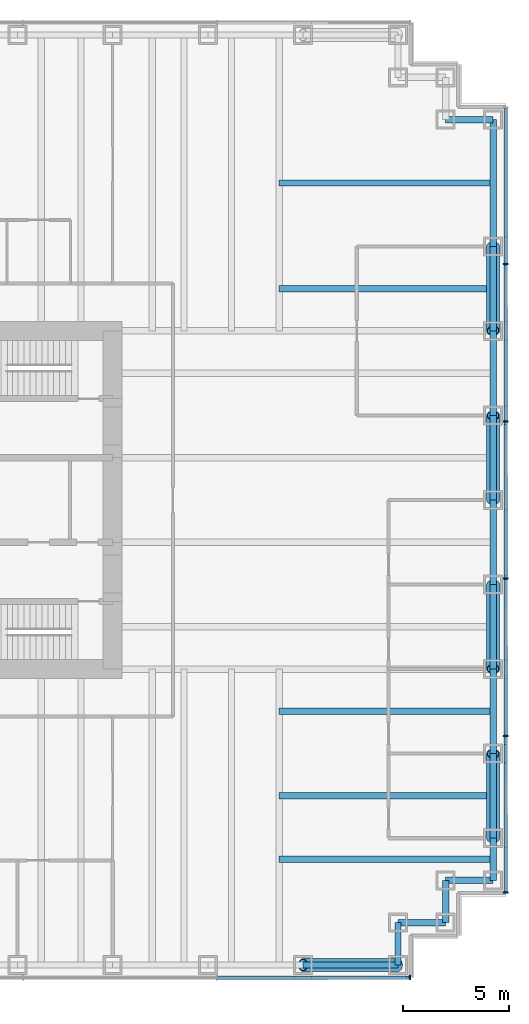
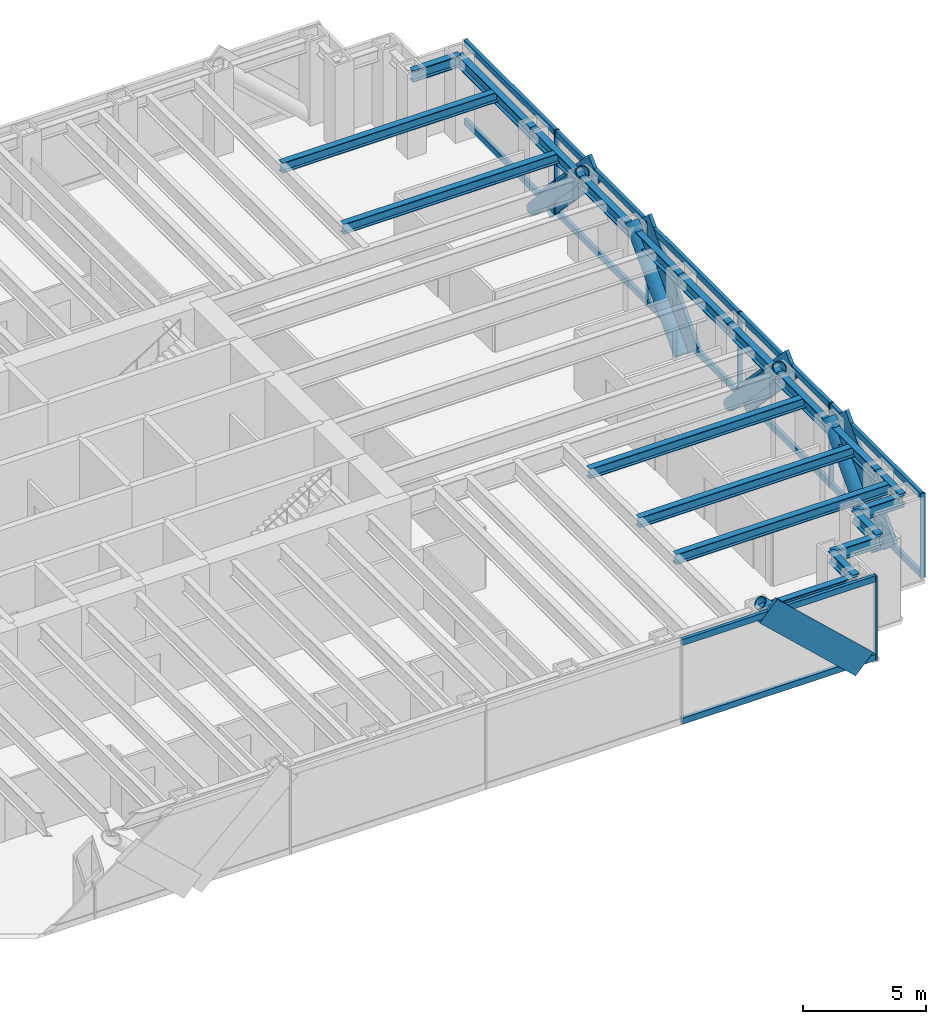
# One storey, part 8 of 15: 28 members, 20 beams, 2 elements without a shape of their own.
"""IFC4 building model written with IfcOpenShell, lengths in metres."""

import ifcopenshell
import ifcopenshell.guid

model = None  # the IFC model being written
_history = None  # IfcOwnerHistory: only IFC2X3 demands one
_inside = {}  # id of a spatial element -> (the spatial element, [elements in it])
_under = {}  # id of a project, library or spatial element -> (it, [spatial elements below it])
_declared = {}  # id of a project -> (the project, [libraries it declares])
_typed = {}  # id of a type object -> (the type object, [elements of that type])
_made_of = {}  # id of a material, layer set ... -> (it, [elements and type objects made of it])


def new_model(schema):
    """Start an empty IFC model of exactly this schema.

    Asked for "IFC4X3", IfcOpenShell would pick the latest addendum, in which some entities
    have other attributes; the version numbers below select the first issue.
    IFC2X3 requires an IfcOwnerHistory on every rooted entity: one is made here for all.
    """
    global model, _history
    if schema == "IFC4X3":
        model = ifcopenshell.file(schema_version=(4, 3, 0, 0))
    else:
        model = ifcopenshell.file(schema=schema)
    _inside.clear()
    _under.clear()
    _declared.clear()
    _typed.clear()
    _made_of.clear()
    _history = None
    if model.schema == "IFC2X3":
        org = make("IfcOrganization", Name="unknown")
        user = make(
            "IfcPersonAndOrganization",
            ThePerson=make("IfcPerson", FamilyName="unknown"),
            TheOrganization=org,
        )
        app = make(
            "IfcApplication",
            ApplicationDeveloper=org,
            Version="unknown",
            ApplicationFullName="unknown",
            ApplicationIdentifier="unknown",
        )
        _history = make(
            "IfcOwnerHistory",
            OwningUser=user,
            OwningApplication=app,
            ChangeAction="ADDED",
            CreationDate=0,
        )
    return model


def make(cls, **values):
    """One entity of the class cls with the attributes given. An attribute that is None is left unset."""
    return model.create_entity(
        cls, **{name: value for name, value in values.items() if value is not None}
    )


def rooted(cls, **values):
    """An entity with a GlobalId (a new one), such as an element, a storey or a relation."""
    return make(cls, GlobalId=ifcopenshell.guid.new(), OwnerHistory=_history, **values)


def si_unit(unit_type, name, prefix=None):
    """IfcSIUnit, for example si_unit("LENGTHUNIT", "METRE", prefix="MILLI")."""
    return make("IfcSIUnit", UnitType=unit_type, Prefix=prefix, Name=name)


def assignment(units):
    """IfcUnitAssignment: the units of a project."""
    return None if units is None else make("IfcUnitAssignment", Units=units)


def point(xyz):
    """IfcCartesianPoint."""
    return None if xyz is None else make("IfcCartesianPoint", Coordinates=xyz)


def direction(xyz):
    """IfcDirection."""
    return None if xyz is None else make("IfcDirection", DirectionRatios=xyz)


def frame(location, z_axis=None, x_axis=None):
    """IfcAxis2Placement3D, a coordinate frame: its origin and axes. An axis left out is left unset."""
    return make(
        "IfcAxis2Placement3D",
        Location=point(location),
        Axis=direction(z_axis),
        RefDirection=direction(x_axis),
    )


def frame_2d(location, x_axis=None):
    """IfcAxis2Placement2D, a coordinate frame in the plane: its origin and x axis."""
    return make(
        "IfcAxis2Placement2D", Location=point(location), RefDirection=direction(x_axis)
    )


def origin():
    """The frame at (0, 0, 0) with its axes left unset."""
    return frame((0.0, 0.0, 0.0))


def origin_2d():
    """The frame at (0, 0) in the plane with its x axis left unset."""
    return frame_2d((0.0, 0.0))


def place(relative_to, where):
    """IfcLocalPlacement: puts the frame where relative to a parent placement (None: the world)."""
    return make(
        "IfcLocalPlacement", PlacementRelTo=relative_to, RelativePlacement=where
    )


def context(
    kind, dimensions, precision=None, world=None, true_north=None, identifier=None
):
    """IfcGeometricRepresentationContext, for example the 3D "Model" context."""
    return make(
        "IfcGeometricRepresentationContext",
        ContextIdentifier=identifier,
        ContextType=kind,
        CoordinateSpaceDimension=dimensions,
        Precision=precision,
        WorldCoordinateSystem=world,
        TrueNorth=true_north,
    )


def subcontext(parent, identifier, kind, view, scale=None):
    """IfcGeometricRepresentationSubContext, for example "Body" below "Model"."""
    return make(
        "IfcGeometricRepresentationSubContext",
        ContextIdentifier=identifier,
        ContextType=kind,
        ParentContext=parent,
        TargetScale=scale,
        TargetView=view,
    )


def project(units=None, contexts=None):
    """IfcProject with its units and contexts."""
    return rooted(
        "IfcProject",
        Name="project",
        RepresentationContexts=contexts,
        UnitsInContext=assignment(units),
    )


def spatial(cls, under=None, at=None, **own):
    """A site, building, storey or space (cls), placed at a placement, below another one or the project."""
    s = rooted(cls, ObjectPlacement=at, **own)
    if under is not None:
        _under.setdefault(under.id(), (under, []))[1].append(s)
    return s


def profile(cls, at=None, kind="AREA", **sizes):
    """A parametric profile (cls). Its sizes go by their IFC names, for example OverallWidth=200.0."""
    return make(cls, ProfileType=kind, Position=at, **sizes)


def rectangle(**sizes):
    """IfcRectangleProfileDef."""
    return profile("IfcRectangleProfileDef", **sizes)


def hollow_circle(**sizes):
    """IfcCircleHollowProfileDef."""
    return profile("IfcCircleHollowProfileDef", **sizes)


def i_section(**sizes):
    """IfcIShapeProfileDef."""
    return profile("IfcIShapeProfileDef", **sizes)


def extrude(swept, where, along, depth):
    """IfcExtrudedAreaSolid: the profile swept, set in the frame where, extruded along a direction by depth."""
    return make(
        "IfcExtrudedAreaSolid",
        SweptArea=swept,
        Position=where,
        ExtrudedDirection=direction(along),
        Depth=depth,
    )


def shape(context_of_items, identifier, shape_type, items):
    """IfcShapeRepresentation: the items that make up one representation, for example the "Body"."""
    return make(
        "IfcShapeRepresentation",
        ContextOfItems=context_of_items,
        RepresentationIdentifier=identifier,
        RepresentationType=shape_type,
        Items=items,
    )


def material(Name=None, Category=None):
    """IfcMaterial."""
    return make("IfcMaterial", Name=Name, Category=Category)


def material_profile(
    of_material, cross_section, Name=None, Category=None, Priority=None
):
    """IfcMaterialProfile: a cross section and its material."""
    return make(
        "IfcMaterialProfile",
        Name=Name,
        Material=of_material,
        Profile=cross_section,
        Priority=Priority,
        Category=Category,
    )


def profile_set(profiles, Name=None, composite=None):
    """IfcMaterialProfileSet."""
    return make(
        "IfcMaterialProfileSet",
        Name=Name,
        MaterialProfiles=profiles,
        CompositeProfile=composite,
    )


def made_of(thing, what):
    """Note that an element or type object is made of a material, layer set ...; save() writes the relation."""
    if what is not None:
        _made_of.setdefault(what.id(), (what, []))[1].append(thing)
    return thing


def type_object(cls, material=None, **own):
    """A type object (cls), such as IfcWallType, which elements share."""
    return made_of(rooted(cls, **own), material)


def element(
    cls,
    number,
    at=None,
    inside=None,
    cuts=None,
    type_object=None,
    material=None,
    context=None,
    identifier="Body",
    shape_type=None,
    held_by="IfcProductDefinitionShape",
    body=None,
    shapes=None,
    **own,
):
    """One element of the class cls, such as IfcWall. Its Tag is "e" and its number.

    at: its placement. inside: the storey or other place that contains it. cuts: it is an
    opening in that element (IfcRelVoidsElement). A single representation is given by context,
    identifier, shape_type and body (its items); several are given by shapes. held_by: the class
    of the entity that holds the representations. save() writes the other relations.
    """
    e = rooted(cls, Tag="e%d" % number, ObjectPlacement=at, **own)
    if body is not None:
        shapes = [shape(context, identifier, shape_type, body)]
    if shapes is not None:
        e.Representation = make(held_by, Representations=shapes)
    if inside is not None:
        _inside.setdefault(inside.id(), (inside, []))[1].append(e)
    if cuts is not None:
        rooted(
            "IfcRelVoidsElement", RelatingBuildingElement=cuts, RelatedOpeningElement=e
        )
    if type_object is not None:
        _typed.setdefault(type_object.id(), (type_object, []))[1].append(e)
    return made_of(e, material)


def aggregate(whole, parts):
    """IfcRelAggregates: a whole, such as a stair, and the parts it consists of."""
    return rooted("IfcRelAggregates", RelatingObject=whole, RelatedObjects=parts)


def save(model, path):
    """Write the relations noted so far, then the file.

    IfcRelAggregates (storeys below a building ...), IfcRelContainedInSpatialStructure (elements
    in a storey), IfcRelDefinesByType, IfcRelAssociatesMaterial and IfcRelDeclares: one each for
    every whole, place, type object, material and project.
    """
    for whole, parts in _under.values():
        aggregate(whole, parts)
    for where, things in _inside.values():
        rooted(
            "IfcRelContainedInSpatialStructure",
            RelatedElements=things,
            RelatingStructure=where,
        )
    for kind, things in _typed.values():
        rooted("IfcRelDefinesByType", RelatedObjects=things, RelatingType=kind)
    for what, things in _made_of.values():
        rooted("IfcRelAssociatesMaterial", RelatedObjects=things, RelatingMaterial=what)
    for by, libraries in _declared.values():
        rooted("IfcRelDeclares", RelatingContext=by, RelatedDefinitions=libraries)
    model.write(path)


model = new_model("IFC4")

# Units and contexts
model_context = context("Model", 3, precision=1e-05, world=origin(), true_north=direction((0.0, 1.0)))
body_context = subcontext(model_context, "Body", "Model", "MODEL_VIEW")
ifc_project = project(units=[si_unit("LENGTHUNIT", "METRE"), si_unit("AREAUNIT", "SQUARE_METRE"), si_unit("VOLUMEUNIT", "CUBIC_METRE"), si_unit("PLANEANGLEUNIT", "RADIAN"), si_unit("MASSUNIT", "GRAM", prefix="KILO")], contexts=[model_context])

# Site, building, storey
site_placement = place(None, origin())
site = spatial("IfcSite", under=ifc_project, at=site_placement, CompositionType="ELEMENT")
building_placement = place(site_placement, origin())
building = spatial("IfcBuilding", under=site, at=building_placement, Name="Rheinbord Bourse Tower", CompositionType="ELEMENT")
storey_placement = place(building_placement, frame((0.0, 0.0, 125.699951171875)))
storey = spatial("IfcBuildingStorey", under=building, at=storey_placement, Name="L27", CompositionType="ELEMENT", Elevation=125.699951171875)

# Curtain wall, member
ifc_material_1 = material(Name="Dark glass and black aluminium", Category="aluminium")
curtain_wall_type = type_object("IfcCurtainWallType", Name="CW2 DARK GLASS CURTAIN WALL", PredefinedType="USERDEFINED", material=ifc_material_1)
curtain_wall_1_placement = place(storey_placement, origin())
curtain_wall_1 = element("IfcCurtainWall", 1, at=curtain_wall_1_placement, inside=storey, type_object=curtain_wall_type, Name="Curtain wall CW2 S L27", ObjectType="UNITISED CURTAIN WALL", PredefinedType="USERDEFINED")
ifc_material_2 = material(Name="Black anodised aluminium", Category="aluminium")
ifc_material_profile_1 = material_profile(ifc_material_2, rectangle(XDim=0.159912109375, YDim=1.2099609375, at=origin_2d()), Name="CW2 DIAGONAL MULLION 1210x160")
ifc_profile_set_1 = profile_set([ifc_material_profile_1], Name="Black anodised aluminium")
member_type_1 = type_object("IfcMemberType", Name="CW2 BLACK DIAGONAL MULLION", PredefinedType="USERDEFINED", material=ifc_profile_set_1)
member_1_placement = place(storey_placement, frame((67.5, 1.39990234375, 0.0), z_axis=(-0.73105922506, 0.0, 0.682314010889), x_axis=(0.0, -1.0, 0.0)))
member_1 = element("IfcMember", 2, at=member_1_placement, type_object=member_type_1, Name="CW2 diagonal mullion b", ObjectType="DIAGONAL MULLION", PredefinedType="USERDEFINED", context=body_context, shape_type="SweptSolid", body=[
    extrude(rectangle(XDim=0.159912109375, YDim=1.2099609375, at=origin_2d()), origin(), (0.0, 0.0, 1.0), 6.155517578125),
])

# Curtain wall, members
curtain_wall_2_placement = place(storey_placement, origin())
curtain_wall_2 = element("IfcCurtainWall", 3, at=curtain_wall_2_placement, inside=storey, type_object=curtain_wall_type, Name="Curtain wall CW2 E L27", ObjectType="UNITISED CURTAIN WALL", PredefinedType="USERDEFINED")
member_2_placement = place(storey_placement, frame((72.60009765625, 36.0, 0.0), z_axis=(0.0, -0.689659376744, 0.724133926887), x_axis=(1.0, 0.0, 0.0)))
member_2 = element("IfcMember", 4, at=member_2_placement, type_object=member_type_1, Name="CW2 diagonal mullion a", ObjectType="DIAGONAL MULLION", PredefinedType="USERDEFINED", context=body_context, shape_type="SweptSolid", body=[
    extrude(rectangle(XDim=0.159912109375, YDim=1.2099609375, at=origin_2d()), origin(), (0.0, 0.0, 1.0), 5.800048828125),
])
member_3_placement = place(storey_placement, frame((72.60009765625, 8.0, 0.0), z_axis=(0.0, 0.689659376744, 0.724133926887), x_axis=(-1.0, 0.0, 0.0)))
member_3 = element("IfcMember", 5, at=member_3_placement, type_object=member_type_1, Name="CW2 diagonal mullion b", ObjectType="DIAGONAL MULLION", PredefinedType="USERDEFINED", context=body_context, shape_type="SweptSolid", body=[
    extrude(rectangle(XDim=0.159912109375, YDim=1.2099609375, at=origin_2d()), origin(), (0.0, 0.0, 1.0), 5.800048828125),
])
member_4_placement = place(storey_placement, frame((72.60009765625, 20.0, 0.0), z_axis=(0.0, -0.689659376744, 0.724133926887), x_axis=(1.0, 0.0, 0.0)))
member_4 = element("IfcMember", 6, at=member_4_placement, type_object=member_type_1, Name="CW2 diagonal mullion c", ObjectType="DIAGONAL MULLION", PredefinedType="USERDEFINED", context=body_context, shape_type="SweptSolid", body=[
    extrude(rectangle(XDim=0.159912109375, YDim=1.2099609375, at=origin_2d()), origin(), (0.0, 0.0, 1.0), 5.800048828125),
])
member_5_placement = place(storey_placement, frame((72.60009765625, 24.0, 0.0), z_axis=(0.0, 0.689659376744, 0.724133926887), x_axis=(-1.0, 0.0, 0.0)))
member_5 = element("IfcMember", 7, at=member_5_placement, type_object=member_type_1, Name="CW2 diagonal mullion d", ObjectType="DIAGONAL MULLION", PredefinedType="USERDEFINED", context=body_context, shape_type="SweptSolid", body=[
    extrude(rectangle(XDim=0.159912109375, YDim=1.2099609375, at=origin_2d()), origin(), (0.0, 0.0, 1.0), 5.800048828125),
])

# Member
ifc_material_3 = material(Name="Black anodised aluminium", Category="aluminium")
ifc_material_profile_2 = material_profile(ifc_material_3, rectangle(XDim=0.219970703125, YDim=0.070068359375, at=origin_2d()), Name="CW2 MULLION 70x220")
ifc_profile_set_2 = profile_set([ifc_material_profile_2], Name="Black anodised aluminium")
member_type_2 = type_object("IfcMemberType", Name="CW2 BLACK MULLION", PredefinedType="MULLION", material=ifc_profile_set_2)
member_6_placement = place(storey_placement, frame((68.06494140625, 1.39990234375, 0.0), z_axis=(0.0, 0.0, 1.0), x_axis=(0.0, 1.0, 0.0)))
member_6 = element("IfcMember", 8, at=member_6_placement, type_object=member_type_2, Name="CW2 mullion 8", PredefinedType="MULLION", context=body_context, shape_type="SweptSolid", body=[
    extrude(rectangle(XDim=0.219970703125, YDim=0.070068359375, at=origin_2d()), origin(), (0.0, 0.0, 1.0), 4.199951171875),
])

member_7_placement = place(storey_placement, frame((72.60009765625, 5.43505859375, 0.0), z_axis=(0.0, 0.0, 1.0), x_axis=(-1.0, 0.0, 0.0)))
member_7 = element("IfcMember", 9, at=member_7_placement, type_object=member_type_2, Name="CW2 mullion 1", PredefinedType="MULLION", context=body_context, shape_type="SweptSolid", body=[
    extrude(rectangle(XDim=0.219970703125, YDim=0.070068359375, at=origin_2d()), origin(), (0.0, 0.0, 1.0), 4.199951171875),
])

member_8_placement = place(storey_placement, frame((72.60009765625, 12.840087890625, 0.0), z_axis=(0.0, 0.0, 1.0), x_axis=(-1.0, 0.0, 0.0)))
member_8 = element("IfcMember", 10, at=member_8_placement, type_object=member_type_2, Name="CW2 mullion 2", PredefinedType="MULLION", context=body_context, shape_type="SweptSolid", body=[
    extrude(rectangle(XDim=0.219970703125, YDim=0.070068359375, at=origin_2d()), origin(), (0.0, 0.0, 1.0), 4.199951171875),
])

member_9_placement = place(storey_placement, frame((72.60009765625, 20.280029296875, 0.0), z_axis=(0.0, 0.0, 1.0), x_axis=(-1.0, 0.0, 0.0)))
member_9 = element("IfcMember", 11, at=member_9_placement, type_object=member_type_2, Name="CW2 mullion 3", PredefinedType="MULLION", context=body_context, shape_type="SweptSolid", body=[
    extrude(rectangle(XDim=0.219970703125, YDim=0.070068359375, at=origin_2d()), origin(), (0.0, 0.0, 1.0), 4.199951171875),
])

member_10_placement = place(storey_placement, frame((72.60009765625, 27.719970703125, 0.0), z_axis=(0.0, 0.0, 1.0), x_axis=(-1.0, 0.0, 0.0)))
member_10 = element("IfcMember", 12, at=member_10_placement, type_object=member_type_2, Name="CW2 mullion 4", PredefinedType="MULLION", context=body_context, shape_type="SweptSolid", body=[
    extrude(rectangle(XDim=0.219970703125, YDim=0.070068359375, at=origin_2d()), origin(), (0.0, 0.0, 1.0), 4.199951171875),
])

member_11_placement = place(storey_placement, frame((72.60009765625, 35.159912109375, 0.0), z_axis=(0.0, 0.0, 1.0), x_axis=(-1.0, 0.0, 0.0)))
member_11 = element("IfcMember", 13, at=member_11_placement, type_object=member_type_2, Name="CW2 mullion 5", PredefinedType="MULLION", context=body_context, shape_type="SweptSolid", body=[
    extrude(rectangle(XDim=0.219970703125, YDim=0.070068359375, at=origin_2d()), origin(), (0.0, 0.0, 1.0), 4.199951171875),
])

ifc_material_4 = material(Name="Black anodised aluminium", Category="aluminium")
ifc_material_profile_3 = material_profile(ifc_material_4, rectangle(XDim=0.159912109375, YDim=0.300048828125, at=origin_2d()), Name="CW2 TRANSOM 300x160")
ifc_profile_set_3 = profile_set([ifc_material_profile_3], Name="Black anodised aluminium")
member_type_3 = type_object("IfcMemberType", Name="CW2 BLACK TRANSOM", PredefinedType="USERDEFINED", material=ifc_profile_set_3)
member_12_placement = place(storey_placement, frame((58.963623046875, 1.39990234375, 0.150146484375), z_axis=(1.0, 0.0, 0.0), x_axis=(0.0, 1.0, 0.0)))
member_12 = element("IfcMember", 14, at=member_12_placement, type_object=member_type_3, Name="CW2 transom 7.1", ObjectType="TRANSOM", PredefinedType="USERDEFINED", context=body_context, shape_type="SweptSolid", body=[
    extrude(rectangle(XDim=0.159912109375, YDim=0.300048828125, at=origin_2d()), origin(), (0.0, 0.0, 1.0), 9.06640625),
])

member_13_placement = place(storey_placement, frame((58.963623046875, 1.39990234375, 4.050048828125), z_axis=(1.0, 0.0, 0.0), x_axis=(0.0, 1.0, 0.0)))
member_13 = element("IfcMember", 15, at=member_13_placement, type_object=member_type_3, Name="CW2 transom 7.2", ObjectType="TRANSOM", PredefinedType="USERDEFINED", context=body_context, shape_type="SweptSolid", body=[
    extrude(rectangle(XDim=0.159912109375, YDim=0.300048828125, at=origin_2d()), origin(), (0.0, 0.0, 1.0), 9.06640625),
])

aggregate(curtain_wall_1, [member_6, member_12, member_13, member_1])

member_14_placement = place(storey_placement, frame((72.60009765625, 5.469970703125, 0.150146484375), z_axis=(0.0, 1.0, 0.0), x_axis=(-1.0, 0.0, 0.0)))
member_14 = element("IfcMember", 16, at=member_14_placement, type_object=member_type_3, Name="CW2 transom 1.1", ObjectType="TRANSOM", PredefinedType="USERDEFINED", context=body_context, shape_type="SweptSolid", body=[
    extrude(rectangle(XDim=0.159912109375, YDim=0.300048828125, at=origin_2d()), origin(), (0.0, 0.0, 1.0), 7.3349609375),
])

member_15_placement = place(storey_placement, frame((72.60009765625, 5.469970703125, 4.050048828125), z_axis=(0.0, 1.0, 0.0), x_axis=(-1.0, 0.0, 0.0)))
member_15 = element("IfcMember", 17, at=member_15_placement, type_object=member_type_3, Name="CW2 transom 1.2", ObjectType="TRANSOM", PredefinedType="USERDEFINED", context=body_context, shape_type="SweptSolid", body=[
    extrude(rectangle(XDim=0.159912109375, YDim=0.300048828125, at=origin_2d()), origin(), (0.0, 0.0, 1.0), 7.3349609375),
])

member_16_placement = place(storey_placement, frame((72.60009765625, 12.875, 0.150146484375), z_axis=(0.0, 1.0, 0.0), x_axis=(-1.0, 0.0, 0.0)))
member_16 = element("IfcMember", 18, at=member_16_placement, type_object=member_type_3, Name="CW2 transom 2.1", ObjectType="TRANSOM", PredefinedType="USERDEFINED", context=body_context, shape_type="SweptSolid", body=[
    extrude(rectangle(XDim=0.159912109375, YDim=0.300048828125, at=origin_2d()), origin(), (0.0, 0.0, 1.0), 7.3701171875),
])

member_17_placement = place(storey_placement, frame((72.60009765625, 12.875, 4.050048828125), z_axis=(0.0, 1.0, 0.0), x_axis=(-1.0, 0.0, 0.0)))
member_17 = element("IfcMember", 19, at=member_17_placement, type_object=member_type_3, Name="CW2 transom 2.2", ObjectType="TRANSOM", PredefinedType="USERDEFINED", context=body_context, shape_type="SweptSolid", body=[
    extrude(rectangle(XDim=0.159912109375, YDim=0.300048828125, at=origin_2d()), origin(), (0.0, 0.0, 1.0), 7.3701171875),
])

member_18_placement = place(storey_placement, frame((72.60009765625, 20.31494140625, 0.150146484375), z_axis=(0.0, 1.0, 0.0), x_axis=(-1.0, 0.0, 0.0)))
member_18 = element("IfcMember", 20, at=member_18_placement, type_object=member_type_3, Name="CW2 transom 3.1", ObjectType="TRANSOM", PredefinedType="USERDEFINED", context=body_context, shape_type="SweptSolid", body=[
    extrude(rectangle(XDim=0.159912109375, YDim=0.300048828125, at=origin_2d()), origin(), (0.0, 0.0, 1.0), 7.3701171875),
])

member_19_placement = place(storey_placement, frame((72.60009765625, 20.31494140625, 4.050048828125), z_axis=(0.0, 1.0, 0.0), x_axis=(-1.0, 0.0, 0.0)))
member_19 = element("IfcMember", 21, at=member_19_placement, type_object=member_type_3, Name="CW2 transom 3.2", ObjectType="TRANSOM", PredefinedType="USERDEFINED", context=body_context, shape_type="SweptSolid", body=[
    extrude(rectangle(XDim=0.159912109375, YDim=0.300048828125, at=origin_2d()), origin(), (0.0, 0.0, 1.0), 7.3701171875),
])

member_20_placement = place(storey_placement, frame((72.60009765625, 27.7548828125, 0.150146484375), z_axis=(0.0, 1.0, 0.0), x_axis=(-1.0, 0.0, 0.0)))
member_20 = element("IfcMember", 22, at=member_20_placement, type_object=member_type_3, Name="CW2 transom 4.1", ObjectType="TRANSOM", PredefinedType="USERDEFINED", context=body_context, shape_type="SweptSolid", body=[
    extrude(rectangle(XDim=0.159912109375, YDim=0.300048828125, at=origin_2d()), origin(), (0.0, 0.0, 1.0), 7.3701171875),
])

member_21_placement = place(storey_placement, frame((72.60009765625, 27.7548828125, 4.050048828125), z_axis=(0.0, 1.0, 0.0), x_axis=(-1.0, 0.0, 0.0)))
member_21 = element("IfcMember", 23, at=member_21_placement, type_object=member_type_3, Name="CW2 transom 4.2", ObjectType="TRANSOM", PredefinedType="USERDEFINED", context=body_context, shape_type="SweptSolid", body=[
    extrude(rectangle(XDim=0.159912109375, YDim=0.300048828125, at=origin_2d()), origin(), (0.0, 0.0, 1.0), 7.3701171875),
])

member_22_placement = place(storey_placement, frame((72.60009765625, 35.195068359375, 0.150146484375), z_axis=(0.0, 1.0, 0.0), x_axis=(-1.0, 0.0, 0.0)))
member_22 = element("IfcMember", 24, at=member_22_placement, type_object=member_type_3, Name="CW2 transom 5.1", ObjectType="TRANSOM", PredefinedType="USERDEFINED", context=body_context, shape_type="SweptSolid", body=[
    extrude(rectangle(XDim=0.159912109375, YDim=0.300048828125, at=origin_2d()), origin(), (0.0, 0.0, 1.0), 7.3349609375),
])

member_23_placement = place(storey_placement, frame((72.60009765625, 35.195068359375, 4.050048828125), z_axis=(0.0, 1.0, 0.0), x_axis=(-1.0, 0.0, 0.0)))
member_23 = element("IfcMember", 25, at=member_23_placement, type_object=member_type_3, Name="CW2 transom 5.2", ObjectType="TRANSOM", PredefinedType="USERDEFINED", context=body_context, shape_type="SweptSolid", body=[
    extrude(rectangle(XDim=0.159912109375, YDim=0.300048828125, at=origin_2d()), origin(), (0.0, 0.0, 1.0), 7.3349609375),
])

aggregate(curtain_wall_2, [member_7, member_8, member_9, member_10, member_11, member_14, member_15, member_16, member_17, member_18, member_19, member_20, member_21, member_22, member_23, member_2, member_3, member_4, member_5])

# Members
ifc_material_5 = material(Name="Steel S460", Category="steel")
ifc_material_profile_4 = material_profile(ifc_material_5, hollow_circle(Radius=0.304931640625, WallThickness=0.0400390625, at=origin_2d()), Name="CHS 610x40")
ifc_profile_set_4 = profile_set([ifc_material_profile_4], Name="Steel S460")
member_type_4 = type_object("IfcMemberType", Name="MEGABRACE CHS 610x40", PredefinedType="BRACE", material=ifc_profile_set_4)
member_24_placement = place(storey_placement, frame((67.5, 2.0, 0.0), z_axis=(-0.73105922506, 0.0, 0.682314010889), x_axis=(0.0, -1.0, 0.0)))
element("IfcMember", 26, at=member_24_placement, inside=storey, type_object=member_type_4, Name="Megabrace S face line b L27", PredefinedType="BRACE", context=body_context, shape_type="SweptSolid", body=[
    extrude(hollow_circle(Radius=0.304931640625, WallThickness=0.0400390625, at=origin_2d()), origin(), (0.0, 0.0, 1.0), 6.155517578125),
])
for number, where, z_axis, x_axis, name in (
    (27, (72.0, 36.0, 0.0), (0.0, -0.689659376744, 0.724133926887), (1.0, 0.0, 0.0), "Megabrace E face line a L27"),
    (28, (72.0, 8.0, 0.0), (0.0, 0.689659376744, 0.724133926887), (-1.0, 0.0, 0.0), "Megabrace E face line b L27"),
    (29, (72.0, 20.0, 0.0), (0.0, -0.689659376744, 0.724133926887), (1.0, 0.0, 0.0), "Megabrace E face line c L27"),
    (30, (72.0, 24.0, 0.0), (0.0, 0.689659376744, 0.724133926887), (-1.0, 0.0, 0.0), "Megabrace E face line d L27"),
):
    element("IfcMember", number, at=place(storey_placement, frame(where, z_axis=z_axis, x_axis=x_axis)), inside=storey, type_object=member_type_4, Name=name, PredefinedType="BRACE", context=body_context, shape_type="SweptSolid", body=[
        extrude(hollow_circle(Radius=0.304931640625, WallThickness=0.0400390625, at=origin_2d()), origin(), (0.0, 0.0, 1.0), 5.800048828125),
    ])

# Beams
ifc_material_6 = material(Name="Steel S460", Category="steel")
ifc_material_profile_5 = material_profile(ifc_material_6, i_section(OverallWidth=0.305908203125, OverallDepth=0.572021484375, WebThickness=0.02099609375, FlangeThickness=0.0400390625, at=origin_2d()), Name="HEM 550")
ifc_profile_set_5 = profile_set([ifc_material_profile_5], Name="Steel S460")
beam_type_1 = type_object("IfcBeamType", Name="SPANDREL HEM 550", PredefinedType="SPANDREL", material=ifc_profile_set_5)
beam_1_placement = place(storey_placement, frame((63.0, 2.0, 3.754150390625), z_axis=(1.0, 0.0, 0.0), x_axis=(0.0, 1.0, 0.0)))
element("IfcBeam", 31, at=beam_1_placement, inside=storey, type_object=beam_type_1, Name="Spandrel S-63-SE-E under L28", PredefinedType="SPANDREL", context=body_context, shape_type="SweptSolid", body=[
    extrude(i_section(OverallWidth=0.305908203125, OverallDepth=0.572021484375, WebThickness=0.02099609375, FlangeThickness=0.0400390625, at=origin_2d()), origin(), (0.0, 0.0, 1.0), 4.5),
])
beam_2_placement = place(storey_placement, frame((67.5, 2.0, 3.754150390625), z_axis=(0.0, 1.0, 0.0), x_axis=(-1.0, 0.0, 0.0)))
element("IfcBeam", 32, at=beam_2_placement, inside=storey, type_object=beam_type_1, Name="Spandrel SE-E-SE-D under L28", PredefinedType="SPANDREL", context=body_context, shape_type="SweptSolid", body=[
    extrude(i_section(OverallWidth=0.305908203125, OverallDepth=0.572021484375, WebThickness=0.02099609375, FlangeThickness=0.0400390625, at=origin_2d()), origin(), (0.0, 0.0, 1.0), 2.0),
])
beam_3_placement = place(storey_placement, frame((67.5, 4.0, 3.754150390625), z_axis=(1.0, 0.0, 0.0), x_axis=(0.0, 1.0, 0.0)))
element("IfcBeam", 33, at=beam_3_placement, inside=storey, type_object=beam_type_1, Name="Spandrel SE-D-SE-C under L28", PredefinedType="SPANDREL", context=body_context, shape_type="SweptSolid", body=[
    extrude(i_section(OverallWidth=0.305908203125, OverallDepth=0.572021484375, WebThickness=0.02099609375, FlangeThickness=0.0400390625, at=origin_2d()), origin(), (0.0, 0.0, 1.0), 2.25),
])
beam_4_placement = place(storey_placement, frame((69.75, 4.0, 3.754150390625), z_axis=(0.0, 1.0, 0.0), x_axis=(-1.0, 0.0, 0.0)))
element("IfcBeam", 34, at=beam_4_placement, inside=storey, type_object=beam_type_1, Name="Spandrel SE-C-SE-B under L28", PredefinedType="SPANDREL", context=body_context, shape_type="SweptSolid", body=[
    extrude(i_section(OverallWidth=0.305908203125, OverallDepth=0.572021484375, WebThickness=0.02099609375, FlangeThickness=0.0400390625, at=origin_2d()), origin(), (0.0, 0.0, 1.0), 2.0),
])
beam_5_placement = place(storey_placement, frame((69.75, 6.0, 3.754150390625), z_axis=(1.0, 0.0, 0.0), x_axis=(0.0, 1.0, 0.0)))
element("IfcBeam", 35, at=beam_5_placement, inside=storey, type_object=beam_type_1, Name="Spandrel SE-B-SE-A under L28", PredefinedType="SPANDREL", context=body_context, shape_type="SweptSolid", body=[
    extrude(i_section(OverallWidth=0.305908203125, OverallDepth=0.572021484375, WebThickness=0.02099609375, FlangeThickness=0.0400390625, at=origin_2d()), origin(), (0.0, 0.0, 1.0), 2.25),
])
beam_6_placement = place(storey_placement, frame((72.0, 6.0, 3.754150390625), z_axis=(0.0, 1.0, 0.0), x_axis=(-1.0, 0.0, 0.0)))
element("IfcBeam", 36, at=beam_6_placement, inside=storey, type_object=beam_type_1, Name="Spandrel SE-A-E-8 under L28", PredefinedType="SPANDREL", context=body_context, shape_type="SweptSolid", body=[
    extrude(i_section(OverallWidth=0.305908203125, OverallDepth=0.572021484375, WebThickness=0.02099609375, FlangeThickness=0.0400390625, at=origin_2d()), origin(), (0.0, 0.0, 1.0), 2.0),
])
for number, where, z_axis, x_axis, name in (
    (37, (72.0, 8.0, 3.754150390625), (0.0, 1.0, 0.0), (-1.0, 0.0, 0.0), "Spandrel E-8-E-12 under L28"),
    (38, (72.0, 12.0, 3.754150390625), (0.0, 1.0, 0.0), (-1.0, 0.0, 0.0), "Spandrel E-12-E-16 under L28"),
    (39, (72.0, 16.0, 3.754150390625), (0.0, 1.0, 0.0), (-1.0, 0.0, 0.0), "Spandrel E-16-E-20 under L28"),
    (40, (72.0, 20.0, 3.754150390625), (0.0, 1.0, 0.0), (-1.0, 0.0, 0.0), "Spandrel E-20-E-24 under L28"),
    (41, (72.0, 24.0, 3.754150390625), (0.0, 1.0, 0.0), (-1.0, 0.0, 0.0), "Spandrel E-24-E-28 under L28"),
    (42, (72.0, 28.0, 3.754150390625), (0.0, 1.0, 0.0), (-1.0, 0.0, 0.0), "Spandrel E-28-E-32 under L28"),
    (43, (72.0, 32.0, 3.754150390625), (0.0, 1.0, 0.0), (-1.0, 0.0, 0.0), "Spandrel E-32-E-36 under L28"),
):
    element("IfcBeam", number, at=place(storey_placement, frame(where, z_axis=z_axis, x_axis=x_axis)), inside=storey, type_object=beam_type_1, Name=name, PredefinedType="SPANDREL", context=body_context, shape_type="SweptSolid", body=[
        extrude(i_section(OverallWidth=0.305908203125, OverallDepth=0.572021484375, WebThickness=0.02099609375, FlangeThickness=0.0400390625, at=origin_2d()), origin(), (0.0, 0.0, 1.0), 4.0),
    ])
beam_7_placement = place(storey_placement, frame((72.0, 36.0, 3.754150390625), z_axis=(0.0, 1.0, 0.0), x_axis=(-1.0, 0.0, 0.0)))
element("IfcBeam", 44, at=beam_7_placement, inside=storey, type_object=beam_type_1, Name="Spandrel E-36-NE-A under L28", PredefinedType="SPANDREL", context=body_context, shape_type="SweptSolid", body=[
    extrude(i_section(OverallWidth=0.305908203125, OverallDepth=0.572021484375, WebThickness=0.02099609375, FlangeThickness=0.0400390625, at=origin_2d()), origin(), (0.0, 0.0, 1.0), 6.0),
])
beam_8_placement = place(storey_placement, frame((72.0, 42.0, 3.754150390625), z_axis=(-1.0, 0.0, 0.0), x_axis=(0.0, -1.0, 0.0)))
element("IfcBeam", 45, at=beam_8_placement, inside=storey, type_object=beam_type_1, Name="Spandrel NE-A-NE-B under L28", PredefinedType="SPANDREL", context=body_context, shape_type="SweptSolid", body=[
    extrude(i_section(OverallWidth=0.305908203125, OverallDepth=0.572021484375, WebThickness=0.02099609375, FlangeThickness=0.0400390625, at=origin_2d()), origin(), (0.0, 0.0, 1.0), 2.25),
])
ifc_material_7 = material(Name="Steel S460", Category="steel")
ifc_material_profile_6 = material_profile(ifc_material_7, i_section(OverallWidth=0.300048828125, OverallDepth=0.5, WebThickness=0.014404296875, FlangeThickness=0.028076171875, at=origin_2d()), Name="HEB 500")
ifc_profile_set_6 = profile_set([ifc_material_profile_6], Name="Steel S460")
beam_type_2 = type_object("IfcBeamType", Name="TIE BEAM HEB 500", PredefinedType="JOIST", material=ifc_profile_set_6)
for number, where, z_axis, x_axis, name in (
    (46, (61.875, 7.0, 3.7900390625), (1.0, 0.0, 0.0), (0.0, 1.0, 0.0), "Tie east 7 L28"),
    (47, (61.875, 10.0, 3.7900390625), (1.0, 0.0, 0.0), (0.0, 1.0, 0.0), "Tie east 10 L28"),
    (48, (61.875, 14.0, 3.7900390625), (1.0, 0.0, 0.0), (0.0, 1.0, 0.0), "Tie east 14 L28"),
    (49, (61.875, 34.0, 3.7900390625), (1.0, 0.0, 0.0), (0.0, 1.0, 0.0), "Tie east 34 L28"),
    (50, (61.875, 39.0, 3.7900390625), (1.0, 0.0, 0.0), (0.0, 1.0, 0.0), "Tie east 39 L28"),
):
    element("IfcBeam", number, at=place(storey_placement, frame(where, z_axis=z_axis, x_axis=x_axis)), inside=storey, type_object=beam_type_2, Name=name, PredefinedType="JOIST", context=body_context, shape_type="SweptSolid", body=[
        extrude(i_section(OverallWidth=0.300048828125, OverallDepth=0.5, WebThickness=0.014404296875, FlangeThickness=0.028076171875, at=origin_2d()), origin(), (0.0, 0.0, 1.0), 10.125),
    ])

save(model, "model.ifc")
